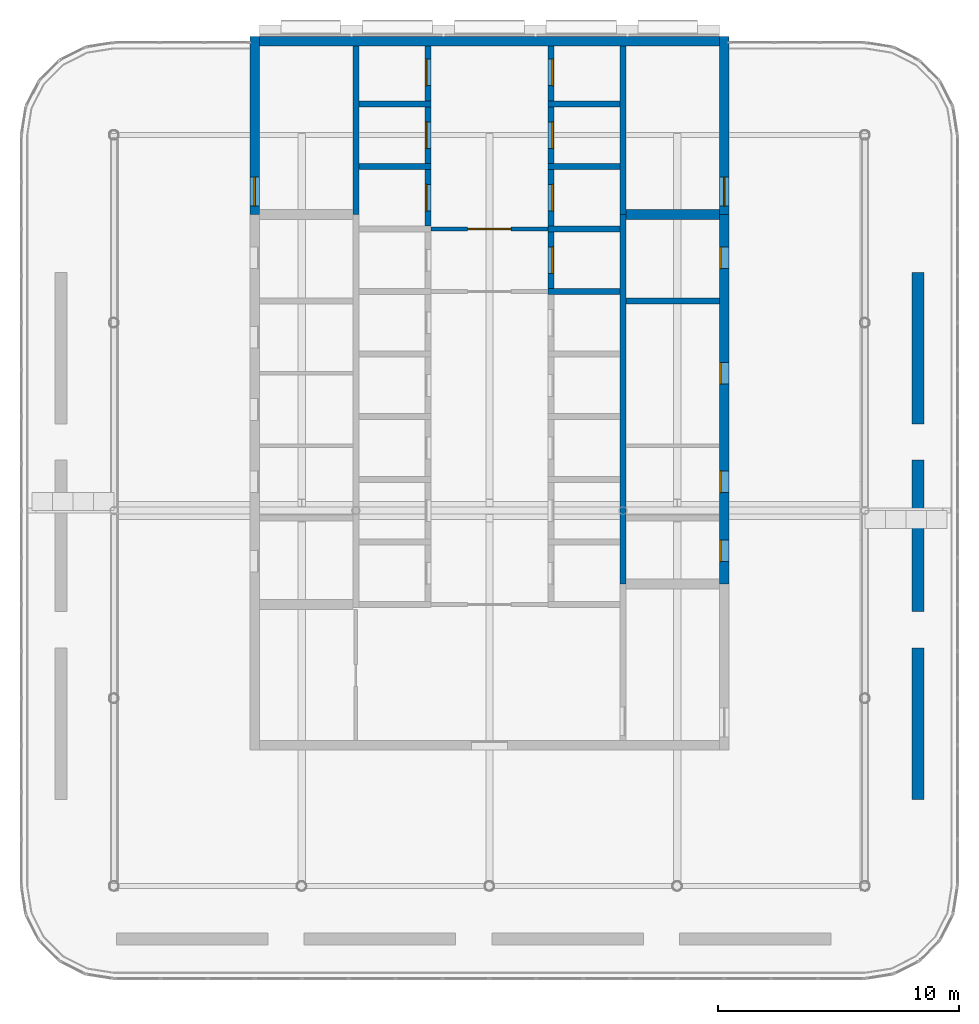
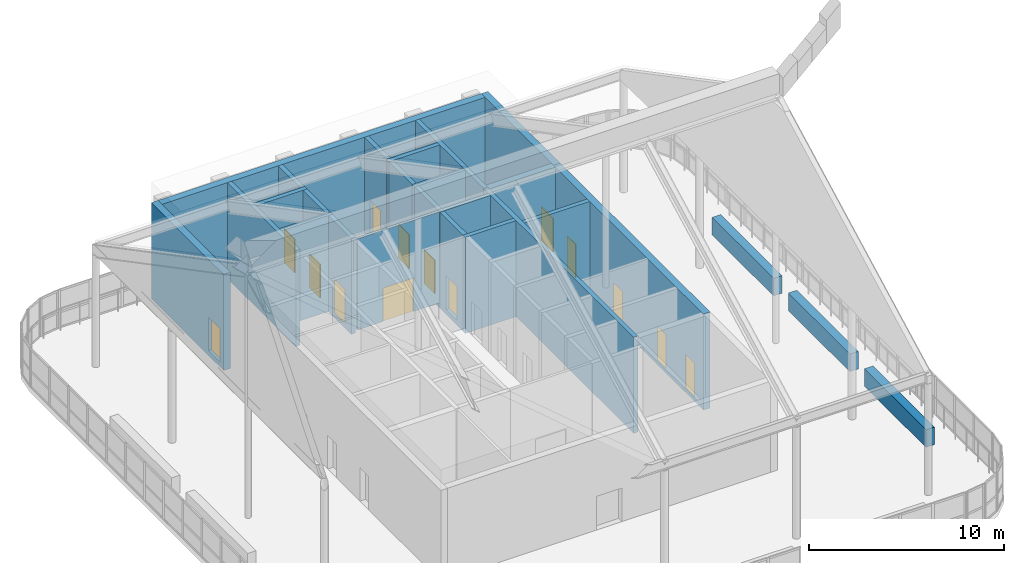
# One storey, part 17 of 19: 26 walls, 14 doors, 14 openings.
"""IFC4 building model written with IfcOpenShell, lengths in metres."""

from ifc_helpers import new_model, si_unit, direction, frame, frame_2d, origin, place, context, subcontext, project, spatial, rectangle, extrude, material, layer, layer_set, type_object, element, fill, save


model = new_model("IFC4")

# Units and contexts
model_context = context("Model", 3, precision=1e-05, world=origin(), true_north=direction((0.0, 1.0)))
body_context = subcontext(model_context, "Body", "Model", "MODEL_VIEW")
ifc_project = project(units=[si_unit("LENGTHUNIT", "METRE"), si_unit("AREAUNIT", "SQUARE_METRE"), si_unit("VOLUMEUNIT", "CUBIC_METRE"), si_unit("PLANEANGLEUNIT", "RADIAN"), si_unit("MASSUNIT", "GRAM", prefix="KILO")], contexts=[model_context])

# Site, building, storey
site_placement = place(None, origin())
site = spatial("IfcSite", under=ifc_project, at=site_placement, CompositionType="ELEMENT")
building_placement = place(site_placement, origin())
building = spatial("IfcBuilding", under=site, at=building_placement, Name="Ludao Terraces", CompositionType="ELEMENT")
storey_placement = place(building_placement, frame((0.0, 0.0, 266.39990234375)))
storey = spatial("IfcBuildingStorey", under=building, at=storey_placement, Name="L73", CompositionType="ELEMENT", Elevation=266.39990234375)

# Wall, opening, door
ifc_material_1 = material(Name="Concrete C50", Category="concrete")
ifc_layer_1 = layer(ifc_material_1, 0.39990234375)
ifc_layer_set_1 = layer_set([ifc_layer_1], Name="Core wall 400 C50")
wall_type_1 = type_object("IfcWallType", Name="Core wall 400 C50", PredefinedType="SOLIDWALL", material=ifc_layer_set_1)
wall_1_placement = place(storey_placement, frame((75.25, 77.300048828125, -0.2998046875), z_axis=(0.0, 0.0, 1.0), x_axis=(0.0, 1.0, 0.0)))
wall_1 = element("IfcWall", 1, at=wall_1_placement, inside=storey, type_object=wall_type_1, Name="Core wall L73 outer-W-S1", PredefinedType="SOLIDWALL", context=body_context, shape_type="SweptSolid", body=[
    extrude(rectangle(XDim=7.39990234375, YDim=0.39990234375, at=frame_2d((3.699951171875, 0.0))), origin(), (0.0, 0.0, 1.0), 6.0),
])
opening_1_placement = place(wall_1_placement, frame((0.35009765625, 0.0, 0.300048828125)))
opening_1 = element("IfcOpeningElement", 2, at=opening_1_placement, cuts=wall_1, Name="Opening DD", PredefinedType="OPENING", context=body_context, shape_type="SweptSolid", body=[
    extrude(rectangle(XDim=1.199951171875, YDim=2.10009765625, at=frame_2d((0.60009765625, 1.050048828125))), frame((0.0, 0.2099609375, 0.0), z_axis=(0.0, -1.0, 0.0), x_axis=(1.0, 0.0, 0.0)), (0.0, 0.0, 1.0), 0.419921875),
])
ifc_material_2 = material(Name="Aluminium glazed door", Category="aluminium")
ifc_layer_2 = layer(ifc_material_2, 0.06005859375)
ifc_layer_set_2 = layer_set([ifc_layer_2], Name="ENV Deck door DD 1200x2100")
door_type_1 = type_object("IfcDoorType", Name="ENV Deck door DD 1200x2100", OperationType="DOUBLE_DOOR_SINGLE_SWING", PredefinedType="DOOR", material=ifc_layer_set_2)
door_1_placement = place(opening_1_placement, origin())
door_1 = element("IfcDoor", 3, at=door_1_placement, inside=storey, type_object=door_type_1, Name="EX-L73-S1", OperationType="DOUBLE_DOOR_SINGLE_SWING", OverallHeight=2.10009765625, OverallWidth=1.199951171875, PredefinedType="DOOR", context=body_context, shape_type="SweptSolid", body=[
    extrude(rectangle(XDim=1.199951171875, YDim=2.10009765625, at=frame_2d((0.60009765625, 1.050048828125))), frame((0.0, 0.02490234375, 0.0), z_axis=(0.0, -1.0, 0.0), x_axis=(1.0, 0.0, 0.0)), (0.0, 0.0, 1.0), 0.050048828125),
])
fill(opening_1, door_1)

# Wall, openings, doors
wall_2_placement = place(storey_placement, frame((94.75, 61.949951171875, -0.2998046875), z_axis=(0.0, 0.0, 1.0), x_axis=(0.0, 1.0, 0.0)))
wall_2 = element("IfcWall", 4, at=wall_2_placement, inside=storey, type_object=wall_type_1, Name="Core wall L73 outer-E", PredefinedType="SOLIDWALL", context=body_context, shape_type="SweptSolid", body=[
    extrude(rectangle(XDim=15.35009765625, YDim=0.39990234375, at=frame_2d((7.675048828125, 0.0))), origin(), (0.0, 0.0, 1.0), 6.0),
])
opening_2_placement = place(wall_2_placement, frame((0.925048828125, 0.0, 0.300048828125)))
opening_2 = element("IfcOpeningElement", 5, at=opening_2_placement, cuts=wall_2, Name="Opening L73-008", PredefinedType="OPENING", context=body_context, shape_type="SweptSolid", body=[
    extrude(rectangle(XDim=0.89990234375, YDim=2.10009765625, at=frame_2d((0.449951171875, 1.050048828125))), frame((0.0, 0.2099609375, 0.0), z_axis=(0.0, -1.0, 0.0), x_axis=(1.0, 0.0, 0.0)), (0.0, 0.0, 1.0), 0.419921875),
])
opening_3_placement = place(wall_2_placement, frame((3.800048828125, 0.0, 0.300048828125)))
opening_3 = element("IfcOpeningElement", 6, at=opening_3_placement, cuts=wall_2, Name="Opening L73-012", PredefinedType="OPENING", context=body_context, shape_type="SweptSolid", body=[
    extrude(rectangle(XDim=0.89990234375, YDim=2.10009765625, at=frame_2d((0.449951171875, 1.050048828125))), frame((0.0, 0.2099609375, 0.0), z_axis=(0.0, -1.0, 0.0), x_axis=(1.0, 0.0, 0.0)), (0.0, 0.0, 1.0), 0.419921875),
])
opening_4_placement = place(wall_2_placement, frame((8.300048828125, 0.0, 0.300048828125)))
opening_4 = element("IfcOpeningElement", 7, at=opening_4_placement, cuts=wall_2, Name="Opening L73-018", PredefinedType="OPENING", context=body_context, shape_type="SweptSolid", body=[
    extrude(rectangle(XDim=0.89990234375, YDim=2.10009765625, at=frame_2d((0.449951171875, 1.050048828125))), frame((0.0, 0.2099609375, 0.0), z_axis=(0.0, -1.0, 0.0), x_axis=(1.0, 0.0, 0.0)), (0.0, 0.0, 1.0), 0.419921875),
])
opening_5_placement = place(wall_2_placement, frame((13.10009765625, 0.0, 0.300048828125)))
opening_5 = element("IfcOpeningElement", 8, at=opening_5_placement, cuts=wall_2, Name="Opening L73-026", PredefinedType="OPENING", context=body_context, shape_type="SweptSolid", body=[
    extrude(rectangle(XDim=0.89990234375, YDim=2.10009765625, at=frame_2d((0.449951171875, 1.050048828125))), frame((0.0, 0.2099609375, 0.0), z_axis=(0.0, -1.0, 0.0), x_axis=(1.0, 0.0, 0.0)), (0.0, 0.0, 1.0), 0.419921875),
])
ifc_material_3 = material(Name="Steel Q235", Category="steel")
door_type_2 = type_object("IfcDoorType", Name="INT Riser door 900", OperationType="SINGLE_SWING_LEFT", PredefinedType="DOOR", material=ifc_material_3)
door_2_placement = place(opening_2_placement, origin())
door_2 = element("IfcDoor", 9, at=door_2_placement, inside=storey, type_object=door_type_2, Name="DOOR 008", OperationType="SINGLE_SWING_LEFT", OverallHeight=2.10009765625, OverallWidth=0.89990234375, PredefinedType="DOOR", context=body_context, shape_type="SweptSolid", body=[
    extrude(rectangle(XDim=0.89990234375, YDim=2.10009765625, at=frame_2d((0.449951171875, 1.050048828125))), frame((0.0, 0.18505859375, 0.0), z_axis=(0.0, -1.0, 0.0), x_axis=(1.0, 0.0, 0.0)), (0.0, 0.0, 1.0), 0.050048828125),
])
fill(opening_2, door_2)
door_3_placement = place(opening_5_placement, origin())
door_3 = element("IfcDoor", 10, at=door_3_placement, inside=storey, type_object=door_type_2, Name="DOOR 026", OperationType="SINGLE_SWING_RIGHT", OverallHeight=2.10009765625, OverallWidth=0.89990234375, PredefinedType="DOOR", context=body_context, shape_type="SweptSolid", body=[
    extrude(rectangle(XDim=0.89990234375, YDim=2.10009765625, at=frame_2d((0.449951171875, 1.050048828125))), frame((0.0, 0.18505859375, 0.0), z_axis=(0.0, -1.0, 0.0), x_axis=(1.0, 0.0, 0.0)), (0.0, 0.0, 1.0), 0.050048828125),
])
fill(opening_5, door_3)
ifc_material_4 = material(Name="Timber door leaf", Category="wood")
door_type_3 = type_object("IfcDoorType", Name="INT Room door 900", OperationType="SINGLE_SWING_LEFT", PredefinedType="DOOR", material=ifc_material_4)
door_4_placement = place(opening_3_placement, origin())
door_4 = element("IfcDoor", 11, at=door_4_placement, inside=storey, type_object=door_type_3, Name="DOOR 012", OperationType="SINGLE_SWING_LEFT", OverallHeight=2.10009765625, OverallWidth=0.89990234375, PredefinedType="DOOR", context=body_context, shape_type="SweptSolid", body=[
    extrude(rectangle(XDim=0.89990234375, YDim=2.10009765625, at=frame_2d((0.449951171875, 1.050048828125))), frame((0.0, 0.18505859375, 0.0), z_axis=(0.0, -1.0, 0.0), x_axis=(1.0, 0.0, 0.0)), (0.0, 0.0, 1.0), 0.050048828125),
])
fill(opening_3, door_4)
door_5_placement = place(opening_4_placement, origin())
door_5 = element("IfcDoor", 12, at=door_5_placement, inside=storey, type_object=door_type_3, Name="DOOR 018", OperationType="SINGLE_SWING_RIGHT", OverallHeight=2.10009765625, OverallWidth=0.89990234375, PredefinedType="DOOR", context=body_context, shape_type="SweptSolid", body=[
    extrude(rectangle(XDim=0.89990234375, YDim=2.10009765625, at=frame_2d((0.449951171875, 1.050048828125))), frame((0.0, 0.18505859375, 0.0), z_axis=(0.0, -1.0, 0.0), x_axis=(1.0, 0.0, 0.0)), (0.0, 0.0, 1.0), 0.050048828125),
])
fill(opening_4, door_5)

# Wall, opening, door
wall_3_placement = place(storey_placement, frame((94.75, 77.300048828125, -0.2998046875), z_axis=(0.0, 0.0, 1.0), x_axis=(0.0, 1.0, 0.0)))
wall_3 = element("IfcWall", 13, at=wall_3_placement, inside=storey, type_object=wall_type_1, Name="Core wall L73 outer-E-S2", PredefinedType="SOLIDWALL", context=body_context, shape_type="SweptSolid", body=[
    extrude(rectangle(XDim=7.39990234375, YDim=0.39990234375, at=frame_2d((3.699951171875, 0.0))), origin(), (0.0, 0.0, 1.0), 6.0),
])
opening_6_placement = place(wall_3_placement, frame((0.35009765625, 0.0, 0.300048828125)))
opening_6 = element("IfcOpeningElement", 14, at=opening_6_placement, cuts=wall_3, Name="Opening DD", PredefinedType="OPENING", context=body_context, shape_type="SweptSolid", body=[
    extrude(rectangle(XDim=1.199951171875, YDim=2.10009765625, at=frame_2d((0.60009765625, 1.050048828125))), frame((0.0, 0.2099609375, 0.0), z_axis=(0.0, -1.0, 0.0), x_axis=(1.0, 0.0, 0.0)), (0.0, 0.0, 1.0), 0.419921875),
])
door_6_placement = place(opening_6_placement, origin())
door_6 = element("IfcDoor", 15, at=door_6_placement, inside=storey, type_object=door_type_1, Name="EX-L73-S2", OperationType="DOUBLE_DOOR_SINGLE_SWING", OverallHeight=2.10009765625, OverallWidth=1.199951171875, PredefinedType="DOOR", context=body_context, shape_type="SweptSolid", body=[
    extrude(rectangle(XDim=1.199951171875, YDim=2.10009765625, at=frame_2d((0.60009765625, 1.050048828125))), frame((0.0, 0.02490234375, 0.0), z_axis=(0.0, -1.0, 0.0), x_axis=(1.0, 0.0, 0.0)), (0.0, 0.0, 1.0), 0.050048828125),
])
fill(opening_6, door_6)

# Walls
wall_4_placement = place(storey_placement, frame((75.449951171875, 84.5, -0.2998046875), z_axis=(0.0, 0.0, 1.0), x_axis=(1.0, 0.0, 0.0)))
element("IfcWall", 16, at=wall_4_placement, inside=storey, type_object=wall_type_1, Name="Core wall L73 outer-N", PredefinedType="SOLIDWALL", context=body_context, shape_type="SweptSolid", body=[
    extrude(rectangle(XDim=19.10009765625, YDim=0.39990234375, at=frame_2d((9.550048828125, 0.0))), origin(), (0.0, 0.0, 1.0), 6.0),
])
ifc_material_5 = material(Name="Concrete C40", Category="concrete")
ifc_layer_3 = layer(ifc_material_5, 0.5)
ifc_layer_set_3 = layer_set([ifc_layer_3], Name="ENV Deck planter 500")
wall_type_2 = type_object("IfcWallType", Name="ENV Deck planter 500", PredefinedType="USERDEFINED", material=ifc_layer_set_3)
for number, where, z_axis, x_axis, name in (
    (17, (102.800048828125, 53.0, 0.0), (0.0, 0.0, 1.0), (0.0, 1.0, 0.0), "PL-L73-8"),
    (18, (102.800048828125, 60.800048828125, 0.0), (0.0, 0.0, 1.0), (0.0, 1.0, 0.0), "PL-L73-9"),
):
    element("IfcWall", number, at=place(storey_placement, frame(where, z_axis=z_axis, x_axis=x_axis)), inside=storey, type_object=wall_type_2, Name=name, ObjectType="PLANTER", PredefinedType="USERDEFINED", context=body_context, shape_type="SweptSolid", body=[
        extrude(rectangle(XDim=6.300048828125, YDim=0.5, at=frame_2d((3.14990234375, 0.0))), origin(), (0.0, 0.0, 1.0), 1.10009765625),
    ])
wall_5_placement = place(storey_placement, frame((102.800048828125, 68.60009765625, 0.0), z_axis=(0.0, 0.0, 1.0), x_axis=(0.0, 1.0, 0.0)))
element("IfcWall", 19, at=wall_5_placement, inside=storey, type_object=wall_type_2, Name="PL-L73-10", ObjectType="PLANTER", PredefinedType="USERDEFINED", context=body_context, shape_type="SweptSolid", body=[
    extrude(rectangle(XDim=6.2998046875, YDim=0.5, at=frame_2d((3.14990234375, 0.0))), origin(), (0.0, 0.0, 1.0), 1.10009765625),
])

# Wall, opening, door
ifc_material_6 = material(Name="Fire-rated gypsum plasterboard", Category="gypsum")
ifc_layer_4 = layer(ifc_material_6, 0.012451171875, Category="gypsum")
ifc_material_7 = material(Name="Mineral wool")
ifc_layer_5 = layer(ifc_material_7, 0.10009765625, Name="insulation")
ifc_layer_6 = layer(ifc_material_3, 0.02490234375, Name="stud")
ifc_layer_7 = layer(ifc_material_6, 0.012451171875, Category="gypsum")
ifc_layer_set_4 = layer_set([ifc_layer_4, ifc_layer_5, ifc_layer_6, ifc_layer_7], Name="INT Core partition 150")
wall_type_3 = type_object("IfcWallType", Name="INT Core partition 150", PredefinedType="PARTITIONING", material=ifc_layer_set_4)
wall_6_placement = place(storey_placement, frame((82.5751953125, 76.699951171875, 0.0), z_axis=(0.0, 0.0, 1.0), x_axis=(1.0, 0.0, 0.0)))
wall_6 = element("IfcWall", 20, at=wall_6_placement, inside=storey, type_object=wall_type_3, Name="PW-L73-PW005", PredefinedType="PARTITIONING", context=body_context, shape_type="SweptSolid", body=[
    extrude(rectangle(XDim=4.849853515625, YDim=0.14990234375, at=frame_2d((2.4248046875, 0.0))), origin(), (0.0, 0.0, 1.0), 5.7001953125),
])
opening_7_placement = place(wall_6_placement, frame((1.52490234375, 0.0, 0.0)))
opening_7 = element("IfcOpeningElement", 21, at=opening_7_placement, cuts=wall_6, Name="Opening L73-027", PredefinedType="OPENING", context=body_context, shape_type="SweptSolid", body=[
    extrude(rectangle(XDim=1.800048828125, YDim=2.10009765625, at=frame_2d((0.89990234375, 1.050048828125))), frame((0.0, 0.0849609375, 0.0), z_axis=(0.0, -1.0, 0.0), x_axis=(1.0, 0.0, 0.0)), (0.0, 0.0, 1.0), 0.169921875),
])
door_type_4 = type_object("IfcDoorType", Name="INT Fire lobby door 1800", OperationType="DOUBLE_DOOR_SINGLE_SWING", PredefinedType="DOOR", material=ifc_material_3)
door_7_placement = place(opening_7_placement, origin())
door_7 = element("IfcDoor", 22, at=door_7_placement, inside=storey, type_object=door_type_4, Name="DOOR 027", OperationType="DOUBLE_DOOR_SINGLE_SWING", OverallHeight=2.10009765625, OverallWidth=1.800048828125, PredefinedType="DOOR", context=body_context, shape_type="SweptSolid", body=[
    extrude(rectangle(XDim=1.800048828125, YDim=2.10009765625, at=frame_2d((0.89990234375, 1.050048828125))), frame((0.0, 0.02490234375, 0.0), z_axis=(0.0, -1.0, 0.0), x_axis=(1.0, 0.0, 0.0)), (0.0, 0.0, 1.0), 0.050048828125),
])
fill(opening_7, door_7)

# Walls
ifc_layer_8 = layer(ifc_material_1, 0.25)
ifc_layer_set_5 = layer_set([ifc_layer_8], Name="Shaft wall 250 C50")
wall_type_4 = type_object("IfcWallType", Name="Shaft wall 250 C50", PredefinedType="SOLIDWALL", material=ifc_layer_set_5)
wall_7_placement = place(storey_placement, frame((79.449951171875, 77.300048828125, -0.2998046875), z_axis=(0.0, 0.0, 1.0), x_axis=(0.0, 1.0, 0.0)))
element("IfcWall", 23, at=wall_7_placement, inside=storey, type_object=wall_type_4, Name="Core wall L73 back-W-S1", PredefinedType="SOLIDWALL", context=body_context, shape_type="SweptSolid", body=[
    extrude(rectangle(XDim=7.0, YDim=0.25, at=frame_2d((3.5, 0.0))), origin(), (0.0, 0.0, 1.0), 6.0),
])
wall_8_placement = place(storey_placement, frame((90.550048828125, 61.949951171875, -0.2998046875), z_axis=(0.0, 0.0, 1.0), x_axis=(0.0, 1.0, 0.0)))
element("IfcWall", 24, at=wall_8_placement, inside=storey, type_object=wall_type_4, Name="Core wall L73 back-E", PredefinedType="SOLIDWALL", context=body_context, shape_type="SweptSolid", body=[
    extrude(rectangle(XDim=15.35009765625, YDim=0.25, at=frame_2d((7.675048828125, 0.0))), origin(), (0.0, 0.0, 1.0), 6.0),
])
wall_9_placement = place(storey_placement, frame((90.550048828125, 77.300048828125, -0.2998046875), z_axis=(0.0, 0.0, 1.0), x_axis=(0.0, 1.0, 0.0)))
element("IfcWall", 25, at=wall_9_placement, inside=storey, type_object=wall_type_4, Name="Core wall L73 back-E-S2", PredefinedType="SOLIDWALL", context=body_context, shape_type="SweptSolid", body=[
    extrude(rectangle(XDim=7.0, YDim=0.25, at=frame_2d((3.5, 0.0))), origin(), (0.0, 0.0, 1.0), 6.0),
])

# Wall, opening, door
wall_10_placement = place(storey_placement, frame((82.449951171875, 76.824951171875, -0.2998046875), z_axis=(0.0, 0.0, 1.0), x_axis=(0.0, 1.0, 0.0)))
wall_10 = element("IfcWall", 26, at=wall_10_placement, inside=storey, type_object=wall_type_4, Name="Core wall L73 front-W7", PredefinedType="SOLIDWALL", context=body_context, shape_type="SweptSolid", body=[
    extrude(rectangle(XDim=2.35009765625, YDim=0.25, at=frame_2d((1.175048828125, 0.0))), origin(), (0.0, 0.0, 1.0), 6.0),
])
opening_8_placement = place(wall_10_placement, frame((0.625, 0.0, 0.300048828125)))
opening_8 = element("IfcOpeningElement", 27, at=opening_8_placement, cuts=wall_10, Name="Opening LD-FF1", PredefinedType="OPENING", context=body_context, shape_type="SweptSolid", body=[
    extrude(rectangle(XDim=1.10009765625, YDim=2.10009765625, at=frame_2d((0.550048828125, 1.050048828125))), frame((0.0, 0.135009765625, 0.0), z_axis=(0.0, -1.0, 0.0), x_axis=(1.0, 0.0, 0.0)), (0.0, 0.0, 1.0), 0.27001953125),
])
ifc_material_8 = material(Name="Stainless steel 304", Category="steel")
door_type_5 = type_object("IfcDoorType", Name="INT Lift landing door 1100", OperationType="SLIDING_TO_LEFT", PredefinedType="DOOR", material=ifc_material_8)
door_8_placement = place(opening_8_placement, origin())
door_8 = element("IfcDoor", 28, at=door_8_placement, inside=storey, type_object=door_type_5, Name="LANDING DOOR FF1 L73", OperationType="SLIDING_TO_LEFT", OverallHeight=2.10009765625, OverallWidth=1.10009765625, PredefinedType="DOOR", context=body_context, shape_type="SweptSolid", body=[
    extrude(rectangle(XDim=1.10009765625, YDim=2.10009765625, at=frame_2d((0.550048828125, 1.050048828125))), frame((0.0, 0.10986328125, 0.0), z_axis=(0.0, -1.0, 0.0), x_axis=(1.0, 0.0, 0.0)), (0.0, 0.0, 1.0), 0.050048828125),
])
fill(opening_8, door_8)

# Wall
wall_11_placement = place(storey_placement, frame((79.574951171875, 79.300048828125, -0.2998046875), z_axis=(0.0, 0.0, 1.0), x_axis=(1.0, 0.0, 0.0)))
element("IfcWall", 29, at=wall_11_placement, inside=storey, type_object=wall_type_4, Name="Core wall L73 div-W8", PredefinedType="SOLIDWALL", context=body_context, shape_type="SweptSolid", body=[
    extrude(rectangle(XDim=3.0, YDim=0.25, at=frame_2d((1.5, 0.0))), origin(), (0.0, 0.0, 1.0), 6.0),
])

# Wall, opening, door
wall_12_placement = place(storey_placement, frame((82.449951171875, 79.425048828125, -0.2998046875), z_axis=(0.0, 0.0, 1.0), x_axis=(0.0, 1.0, 0.0)))
wall_12 = element("IfcWall", 30, at=wall_12_placement, inside=storey, type_object=wall_type_4, Name="Core wall L73 front-W8", PredefinedType="SOLIDWALL", context=body_context, shape_type="SweptSolid", body=[
    extrude(rectangle(XDim=2.349853515625, YDim=0.25, at=frame_2d((1.1748046875, 0.0))), origin(), (0.0, 0.0, 1.0), 6.0),
])
opening_9_placement = place(wall_12_placement, frame((0.625, 0.0, 0.300048828125)))
opening_9 = element("IfcOpeningElement", 31, at=opening_9_placement, cuts=wall_12, Name="Opening LD-FF2", PredefinedType="OPENING", context=body_context, shape_type="SweptSolid", body=[
    extrude(rectangle(XDim=1.10009765625, YDim=2.10009765625, at=frame_2d((0.550048828125, 1.050048828125))), frame((0.0, 0.135009765625, 0.0), z_axis=(0.0, -1.0, 0.0), x_axis=(1.0, 0.0, 0.0)), (0.0, 0.0, 1.0), 0.27001953125),
])
door_9_placement = place(opening_9_placement, origin())
door_9 = element("IfcDoor", 32, at=door_9_placement, inside=storey, type_object=door_type_5, Name="LANDING DOOR FF2 L73", OperationType="SLIDING_TO_LEFT", OverallHeight=2.10009765625, OverallWidth=1.10009765625, PredefinedType="DOOR", context=body_context, shape_type="SweptSolid", body=[
    extrude(rectangle(XDim=1.10009765625, YDim=2.10009765625, at=frame_2d((0.550048828125, 1.050048828125))), frame((0.0, 0.10986328125, 0.0), z_axis=(0.0, -1.0, 0.0), x_axis=(1.0, 0.0, 0.0)), (0.0, 0.0, 1.0), 0.050048828125),
])
fill(opening_9, door_9)

# Wall
wall_13_placement = place(storey_placement, frame((79.574951171875, 81.89990234375, -0.2998046875), z_axis=(0.0, 0.0, 1.0), x_axis=(1.0, 0.0, 0.0)))
element("IfcWall", 33, at=wall_13_placement, inside=storey, type_object=wall_type_4, Name="Core wall L73 div-W9", PredefinedType="SOLIDWALL", context=body_context, shape_type="SweptSolid", body=[
    extrude(rectangle(XDim=3.0, YDim=0.25, at=frame_2d((1.5, 0.0))), origin(), (0.0, 0.0, 1.0), 6.0),
])

# Wall, opening, door
wall_14_placement = place(storey_placement, frame((82.449951171875, 82.02490234375, -0.2998046875), z_axis=(0.0, 0.0, 1.0), x_axis=(0.0, 1.0, 0.0)))
wall_14 = element("IfcWall", 34, at=wall_14_placement, inside=storey, type_object=wall_type_4, Name="Core wall L73 front-W9", PredefinedType="SOLIDWALL", context=body_context, shape_type="SweptSolid", body=[
    extrude(rectangle(XDim=2.275146484375, YDim=0.25, at=frame_2d((1.1376953125, 0.0))), origin(), (0.0, 0.0, 1.0), 6.0),
])
opening_10_placement = place(wall_14_placement, frame((0.625, 0.0, 0.300048828125)))
opening_10 = element("IfcOpeningElement", 35, at=opening_10_placement, cuts=wall_14, Name="Opening LD-LB6", PredefinedType="OPENING", context=body_context, shape_type="SweptSolid", body=[
    extrude(rectangle(XDim=1.10009765625, YDim=2.10009765625, at=frame_2d((0.550048828125, 1.050048828125))), frame((0.0, 0.135009765625, 0.0), z_axis=(0.0, -1.0, 0.0), x_axis=(1.0, 0.0, 0.0)), (0.0, 0.0, 1.0), 0.27001953125),
])
door_10_placement = place(opening_10_placement, origin())
door_10 = element("IfcDoor", 36, at=door_10_placement, inside=storey, type_object=door_type_5, Name="LANDING DOOR LB6 L73", OperationType="SLIDING_TO_RIGHT", OverallHeight=2.10009765625, OverallWidth=1.10009765625, PredefinedType="DOOR", context=body_context, shape_type="SweptSolid", body=[
    extrude(rectangle(XDim=1.10009765625, YDim=2.10009765625, at=frame_2d((0.550048828125, 1.050048828125))), frame((0.0, 0.10986328125, 0.0), z_axis=(0.0, -1.0, 0.0), x_axis=(1.0, 0.0, 0.0)), (0.0, 0.0, 1.0), 0.050048828125),
])
fill(opening_10, door_10)

# Wall
wall_15_placement = place(storey_placement, frame((87.425048828125, 74.10009765625, -0.2998046875), z_axis=(0.0, 0.0, 1.0), x_axis=(1.0, 0.0, 0.0)))
element("IfcWall", 37, at=wall_15_placement, inside=storey, type_object=wall_type_4, Name="Core wall L73 div-E6", PredefinedType="SOLIDWALL", context=body_context, shape_type="SweptSolid", body=[
    extrude(rectangle(XDim=3.0, YDim=0.25, at=frame_2d((1.5, 0.0))), origin(), (0.0, 0.0, 1.0), 6.0),
])

# Wall, opening, door
wall_16_placement = place(storey_placement, frame((87.550048828125, 74.22509765625, -0.2998046875), z_axis=(0.0, 0.0, 1.0), x_axis=(0.0, 1.0, 0.0)))
wall_16 = element("IfcWall", 38, at=wall_16_placement, inside=storey, type_object=wall_type_4, Name="Core wall L73 front-E6", PredefinedType="SOLIDWALL", context=body_context, shape_type="SweptSolid", body=[
    extrude(rectangle(XDim=2.349853515625, YDim=0.25, at=frame_2d((1.1748046875, 0.0))), origin(), (0.0, 0.0, 1.0), 6.0),
])
opening_11_placement = place(wall_16_placement, frame((0.625, 0.0, 0.300048828125)))
opening_11 = element("IfcOpeningElement", 39, at=opening_11_placement, cuts=wall_16, Name="Opening LD-LB2", PredefinedType="OPENING", context=body_context, shape_type="SweptSolid", body=[
    extrude(rectangle(XDim=1.10009765625, YDim=2.10009765625, at=frame_2d((0.550048828125, 1.050048828125))), frame((0.0, 0.135009765625, 0.0), z_axis=(0.0, -1.0, 0.0), x_axis=(1.0, 0.0, 0.0)), (0.0, 0.0, 1.0), 0.27001953125),
])
door_11_placement = place(opening_11_placement, origin())
door_11 = element("IfcDoor", 40, at=door_11_placement, inside=storey, type_object=door_type_5, Name="LANDING DOOR LB2 L73", OperationType="SLIDING_TO_LEFT", OverallHeight=2.10009765625, OverallWidth=1.10009765625, PredefinedType="DOOR", context=body_context, shape_type="SweptSolid", body=[
    extrude(rectangle(XDim=1.10009765625, YDim=2.10009765625, at=frame_2d((0.550048828125, 1.050048828125))), frame((0.0, -0.06005859375, 0.0), z_axis=(0.0, -1.0, 0.0), x_axis=(1.0, 0.0, 0.0)), (0.0, 0.0, 1.0), 0.050048828125),
])
fill(opening_11, door_11)

# Wall
wall_17_placement = place(storey_placement, frame((87.425048828125, 76.699951171875, -0.2998046875), z_axis=(0.0, 0.0, 1.0), x_axis=(1.0, 0.0, 0.0)))
element("IfcWall", 41, at=wall_17_placement, inside=storey, type_object=wall_type_4, Name="Core wall L73 div-E7", PredefinedType="SOLIDWALL", context=body_context, shape_type="SweptSolid", body=[
    extrude(rectangle(XDim=3.0, YDim=0.25, at=frame_2d((1.5, 0.0))), origin(), (0.0, 0.0, 1.0), 6.0),
])

# Wall, opening, door
wall_18_placement = place(storey_placement, frame((87.550048828125, 76.824951171875, -0.2998046875), z_axis=(0.0, 0.0, 1.0), x_axis=(0.0, 1.0, 0.0)))
wall_18 = element("IfcWall", 42, at=wall_18_placement, inside=storey, type_object=wall_type_4, Name="Core wall L73 front-E7", PredefinedType="SOLIDWALL", context=body_context, shape_type="SweptSolid", body=[
    extrude(rectangle(XDim=2.35009765625, YDim=0.25, at=frame_2d((1.175048828125, 0.0))), origin(), (0.0, 0.0, 1.0), 6.0),
])
opening_12_placement = place(wall_18_placement, frame((0.625, 0.0, 0.300048828125)))
opening_12 = element("IfcOpeningElement", 43, at=opening_12_placement, cuts=wall_18, Name="Opening LD-LB3", PredefinedType="OPENING", context=body_context, shape_type="SweptSolid", body=[
    extrude(rectangle(XDim=1.10009765625, YDim=2.10009765625, at=frame_2d((0.550048828125, 1.050048828125))), frame((0.0, 0.135009765625, 0.0), z_axis=(0.0, -1.0, 0.0), x_axis=(1.0, 0.0, 0.0)), (0.0, 0.0, 1.0), 0.27001953125),
])
door_12_placement = place(opening_12_placement, origin())
door_12 = element("IfcDoor", 44, at=door_12_placement, inside=storey, type_object=door_type_5, Name="LANDING DOOR LB3 L73", OperationType="SLIDING_TO_LEFT", OverallHeight=2.10009765625, OverallWidth=1.10009765625, PredefinedType="DOOR", context=body_context, shape_type="SweptSolid", body=[
    extrude(rectangle(XDim=1.10009765625, YDim=2.10009765625, at=frame_2d((0.550048828125, 1.050048828125))), frame((0.0, -0.06005859375, 0.0), z_axis=(0.0, -1.0, 0.0), x_axis=(1.0, 0.0, 0.0)), (0.0, 0.0, 1.0), 0.050048828125),
])
fill(opening_12, door_12)

# Wall
wall_19_placement = place(storey_placement, frame((87.425048828125, 79.300048828125, -0.2998046875), z_axis=(0.0, 0.0, 1.0), x_axis=(1.0, 0.0, 0.0)))
element("IfcWall", 45, at=wall_19_placement, inside=storey, type_object=wall_type_4, Name="Core wall L73 div-E8", PredefinedType="SOLIDWALL", context=body_context, shape_type="SweptSolid", body=[
    extrude(rectangle(XDim=3.0, YDim=0.25, at=frame_2d((1.5, 0.0))), origin(), (0.0, 0.0, 1.0), 6.0),
])

# Wall, opening, door
wall_20_placement = place(storey_placement, frame((87.550048828125, 79.425048828125, -0.2998046875), z_axis=(0.0, 0.0, 1.0), x_axis=(0.0, 1.0, 0.0)))
wall_20 = element("IfcWall", 46, at=wall_20_placement, inside=storey, type_object=wall_type_4, Name="Core wall L73 front-E8", PredefinedType="SOLIDWALL", context=body_context, shape_type="SweptSolid", body=[
    extrude(rectangle(XDim=2.349853515625, YDim=0.25, at=frame_2d((1.1748046875, 0.0))), origin(), (0.0, 0.0, 1.0), 6.0),
])
opening_13_placement = place(wall_20_placement, frame((0.625, 0.0, 0.300048828125)))
opening_13 = element("IfcOpeningElement", 47, at=opening_13_placement, cuts=wall_20, Name="Opening LD-LB4", PredefinedType="OPENING", context=body_context, shape_type="SweptSolid", body=[
    extrude(rectangle(XDim=1.10009765625, YDim=2.10009765625, at=frame_2d((0.550048828125, 1.050048828125))), frame((0.0, 0.135009765625, 0.0), z_axis=(0.0, -1.0, 0.0), x_axis=(1.0, 0.0, 0.0)), (0.0, 0.0, 1.0), 0.27001953125),
])
door_13_placement = place(opening_13_placement, origin())
door_13 = element("IfcDoor", 48, at=door_13_placement, inside=storey, type_object=door_type_5, Name="LANDING DOOR LB4 L73", OperationType="SLIDING_TO_RIGHT", OverallHeight=2.10009765625, OverallWidth=1.10009765625, PredefinedType="DOOR", context=body_context, shape_type="SweptSolid", body=[
    extrude(rectangle(XDim=1.10009765625, YDim=2.10009765625, at=frame_2d((0.550048828125, 1.050048828125))), frame((0.0, -0.06005859375, 0.0), z_axis=(0.0, -1.0, 0.0), x_axis=(1.0, 0.0, 0.0)), (0.0, 0.0, 1.0), 0.050048828125),
])
fill(opening_13, door_13)

# Wall
wall_21_placement = place(storey_placement, frame((87.425048828125, 81.89990234375, -0.2998046875), z_axis=(0.0, 0.0, 1.0), x_axis=(1.0, 0.0, 0.0)))
element("IfcWall", 49, at=wall_21_placement, inside=storey, type_object=wall_type_4, Name="Core wall L73 div-E9", PredefinedType="SOLIDWALL", context=body_context, shape_type="SweptSolid", body=[
    extrude(rectangle(XDim=3.0, YDim=0.25, at=frame_2d((1.5, 0.0))), origin(), (0.0, 0.0, 1.0), 6.0),
])

# Wall, opening, door
wall_22_placement = place(storey_placement, frame((87.550048828125, 82.02490234375, -0.2998046875), z_axis=(0.0, 0.0, 1.0), x_axis=(0.0, 1.0, 0.0)))
wall_22 = element("IfcWall", 50, at=wall_22_placement, inside=storey, type_object=wall_type_4, Name="Core wall L73 front-E9", PredefinedType="SOLIDWALL", context=body_context, shape_type="SweptSolid", body=[
    extrude(rectangle(XDim=2.275146484375, YDim=0.25, at=frame_2d((1.1376953125, 0.0))), origin(), (0.0, 0.0, 1.0), 6.0),
])
opening_14_placement = place(wall_22_placement, frame((0.625, 0.0, 0.300048828125)))
opening_14 = element("IfcOpeningElement", 51, at=opening_14_placement, cuts=wall_22, Name="Opening LD-LB5", PredefinedType="OPENING", context=body_context, shape_type="SweptSolid", body=[
    extrude(rectangle(XDim=1.10009765625, YDim=2.10009765625, at=frame_2d((0.550048828125, 1.050048828125))), frame((0.0, 0.135009765625, 0.0), z_axis=(0.0, -1.0, 0.0), x_axis=(1.0, 0.0, 0.0)), (0.0, 0.0, 1.0), 0.27001953125),
])
door_14_placement = place(opening_14_placement, origin())
door_14 = element("IfcDoor", 52, at=door_14_placement, inside=storey, type_object=door_type_5, Name="LANDING DOOR LB5 L73", OperationType="SLIDING_TO_RIGHT", OverallHeight=2.10009765625, OverallWidth=1.10009765625, PredefinedType="DOOR", context=body_context, shape_type="SweptSolid", body=[
    extrude(rectangle(XDim=1.10009765625, YDim=2.10009765625, at=frame_2d((0.550048828125, 1.050048828125))), frame((0.0, -0.06005859375, 0.0), z_axis=(0.0, -1.0, 0.0), x_axis=(1.0, 0.0, 0.0)), (0.0, 0.0, 1.0), 0.050048828125),
])
fill(opening_14, door_14)

# Walls
wall_23_placement = place(storey_placement, frame((90.675048828125, 73.699951171875, -0.2998046875), z_axis=(0.0, 0.0, 1.0), x_axis=(1.0, 0.0, 0.0)))
element("IfcWall", 53, at=wall_23_placement, inside=storey, type_object=wall_type_4, Name="Core wall L73 riser-b-E", PredefinedType="SOLIDWALL", context=body_context, shape_type="SweptSolid", body=[
    extrude(rectangle(XDim=3.875, YDim=0.25, at=frame_2d((1.9375, 0.0))), origin(), (0.0, 0.0, 1.0), 6.0),
])
ifc_layer_9 = layer(ifc_material_1, 0.39990234375)
ifc_layer_set_6 = layer_set([ifc_layer_9], Name="Shaft wall 400 C50")
wall_type_5 = type_object("IfcWallType", Name="Shaft wall 400 C50", PredefinedType="SOLIDWALL", material=ifc_layer_set_6)
wall_24_placement = place(storey_placement, frame((90.675048828125, 77.300048828125, -0.2998046875), z_axis=(0.0, 0.0, 1.0), x_axis=(1.0, 0.0, 0.0)))
element("IfcWall", 54, at=wall_24_placement, inside=storey, type_object=wall_type_5, Name="Core wall L73 stair-E", PredefinedType="SOLIDWALL", context=body_context, shape_type="SweptSolid", body=[
    extrude(rectangle(XDim=3.875, YDim=0.39990234375, at=frame_2d((1.9375, 0.0))), origin(), (0.0, 0.0, 1.0), 6.0),
])

save(model, "model.ifc")
